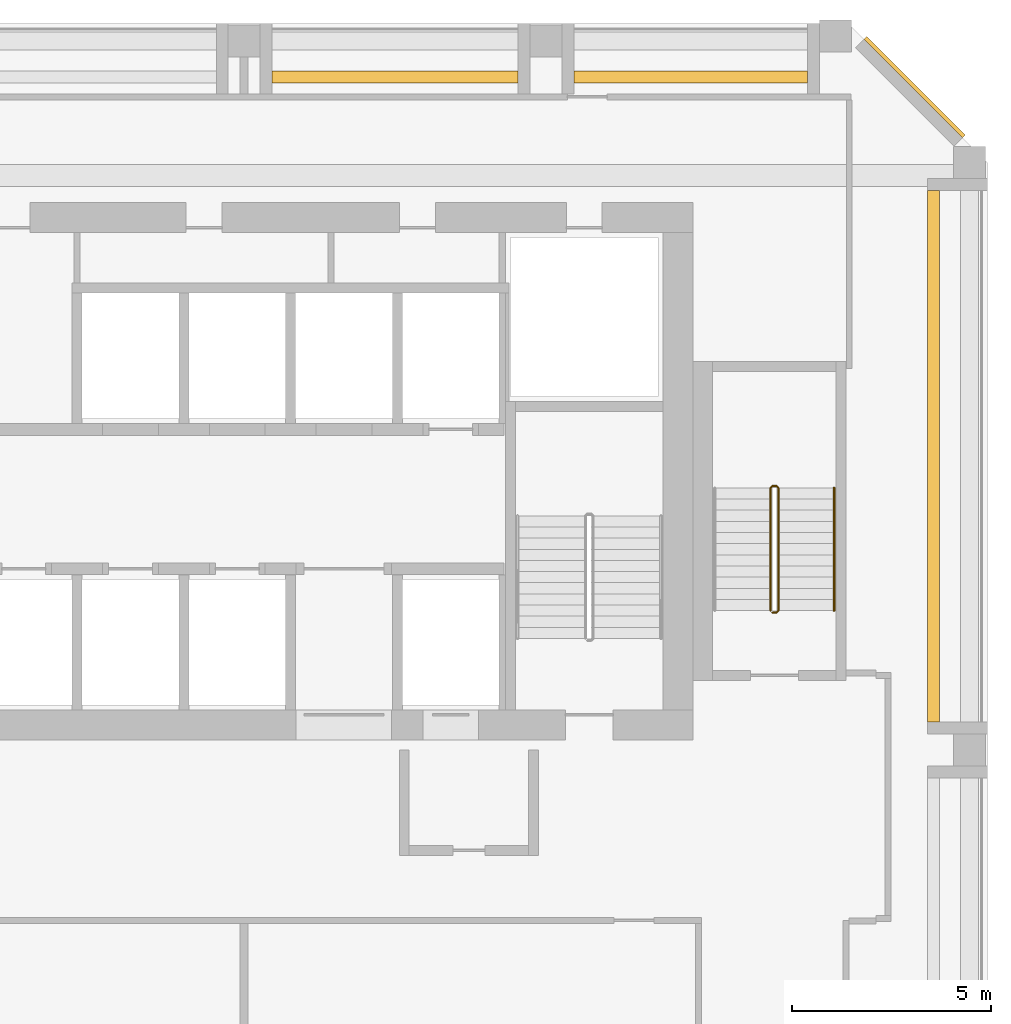
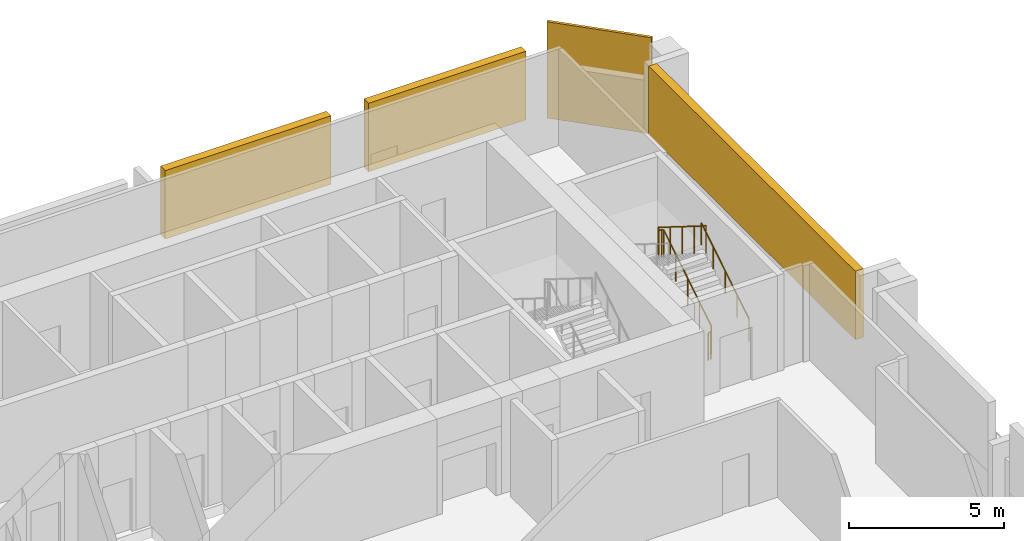
# One storey, part 9 of 9: 4 shading devices, 2 railings.
"""IFC4 building model written with IfcOpenShell, lengths in metres."""

from ifc_helpers import new_model, si_unit, direction, frame, origin, origin_2d, place, context, subcontext, project, spatial, rectangle, circle, extrude, source, transform, mapped, material, layer, layer_set, type_object, element, save


model = new_model("IFC4")

# Units and contexts
model_context = context("Model", 3, precision=1e-05, world=origin(), true_north=direction((0.0, 1.0)))
body_context = subcontext(model_context, "Body", "Model", "MODEL_VIEW")
ifc_project = project(units=[si_unit("LENGTHUNIT", "METRE"), si_unit("AREAUNIT", "SQUARE_METRE"), si_unit("VOLUMEUNIT", "CUBIC_METRE"), si_unit("PLANEANGLEUNIT", "RADIAN"), si_unit("MASSUNIT", "GRAM", prefix="KILO")], contexts=[model_context])

# Site, building, storey
site_placement = place(None, origin())
site = spatial("IfcSite", under=ifc_project, at=site_placement, CompositionType="ELEMENT")
building_placement = place(site_placement, origin())
building = spatial("IfcBuilding", under=site, at=building_placement, Name="Kilnfold Tower and Market Hall", CompositionType="ELEMENT")
storey_placement = place(building_placement, frame((0.0, 0.0, 195.699951171875)))
storey = spatial("IfcBuildingStorey", under=building, at=storey_placement, Name="L47 Plant Transfer Level", CompositionType="ELEMENT", Elevation=195.699951171875)

# Railings
ifc_material_1 = material(Name="Stainless steel 316", Category="steel")
railing_type_1 = type_object("IfcRailingType", Name="CORE STAIR GUARD 1100", PredefinedType="GUARDRAIL", material=ifc_material_1)
railing_1_placement = place(storey_placement, frame((19.85009765625, 11.449951171875, 0.0)))
element("IfcRailing", 1, at=railing_1_placement, inside=storey, type_object=railing_type_1, Name="L47 Plant Transfer Level ST5 stair guard 1", PredefinedType="GUARDRAIL", context=body_context, shape_type="SweptSolid", body=[
    extrude(circle(Radius=0.02392578125, at=origin_2d()), frame((0.0, 0.0, 1.076171875), z_axis=(1.0, 0.0, 0.0), x_axis=(0.0, 1.0, 0.0)), (0.0, 0.0, 1.0), 0.099853515625),
    extrude(circle(Radius=0.02392578125, at=origin_2d()), frame((0.099853515625, 0.0, 1.076171875), z_axis=(0.265065253269, 0.265065253269, 0.927081885822), x_axis=(-0.707106781187, 0.707106781187, 0.0)), (0.0, 0.0, 1.0), 0.188720703125),
    extrude(circle(Radius=0.02392578125, at=origin_2d()), frame((0.14990234375, 0.050048828125, 1.2509765625), z_axis=(0.0, 0.847998304005, 0.529998940003), x_axis=(-1.0, 0.0, 0.0)), (0.0, 0.0, 1.0), 3.632080078125),
    extrude(circle(Radius=0.02392578125, at=origin_2d()), frame((0.14990234375, 3.130126953125, 3.17626953125), z_axis=(-0.708833529934, 0.705375805398, 0.0), x_axis=(-0.705375805398, -0.708833529934, 0.0)), (0.0, 0.0, 1.0), 0.070556640625),
    extrude(circle(Radius=0.02392578125, at=origin_2d()), frame((0.099853515625, 3.179931640625, 3.17626953125), z_axis=(-1.0, 0.0, 0.0), x_axis=(0.0, -1.0, 0.0)), (0.0, 0.0, 1.0), 0.099853515625),
    extrude(circle(Radius=0.02392578125, at=origin_2d()), frame((0.0, 3.179931640625, 3.17626953125), z_axis=(-0.265155923931, -0.263862480399, 0.927399011991), x_axis=(0.705375805398, -0.708833529934, 0.0)), (0.0, 0.0, 1.0), 0.188720703125),
    extrude(circle(Radius=0.02392578125, at=origin_2d()), frame((-0.050048828125, 3.130126953125, 3.35107421875), z_axis=(0.0, -0.848028513186, 0.529950602248), x_axis=(1.0, 0.0, 0.0)), (0.0, 0.0, 1.0), 3.632080078125),
    extrude(circle(Radius=0.02099609375, at=origin_2d()), origin(), (0.0, 0.0, 1.0), 1.052001953125),
    extrude(circle(Radius=0.02099609375, at=origin_2d()), frame((0.099853515625, 0.0, 0.0)), (0.0, 0.0, 1.0), 1.052001953125),
    extrude(circle(Radius=0.02099609375, at=origin_2d()), frame((0.14990234375, 0.050048828125, 0.175048828125)), (0.0, 0.0, 1.0), 1.052001953125),
    extrude(circle(Radius=0.02099609375, at=origin_2d()), frame((0.14990234375, 0.820068359375, 0.65625)), (0.0, 0.0, 1.0), 1.052001953125),
    extrude(circle(Radius=0.02099609375, at=origin_2d()), frame((0.14990234375, 1.590087890625, 1.1376953125)), (0.0, 0.0, 1.0), 1.052001953125),
    extrude(circle(Radius=0.02099609375, at=origin_2d()), frame((0.14990234375, 2.360107421875, 1.618896484375)), (0.0, 0.0, 1.0), 1.052001953125),
    extrude(circle(Radius=0.02099609375, at=origin_2d()), frame((0.14990234375, 3.130126953125, 2.10009765625)), (0.0, 0.0, 1.0), 1.052001953125),
    extrude(circle(Radius=0.02099609375, at=origin_2d()), frame((0.099853515625, 3.179931640625, 2.10009765625)), (0.0, 0.0, 1.0), 1.052001953125),
    extrude(circle(Radius=0.02099609375, at=origin_2d()), frame((0.0, 3.179931640625, 2.10009765625)), (0.0, 0.0, 1.0), 1.052001953125),
    extrude(circle(Radius=0.02099609375, at=origin_2d()), frame((-0.050048828125, 3.130126953125, 2.275146484375)), (0.0, 0.0, 1.0), 1.052001953125),
    extrude(circle(Radius=0.02099609375, at=origin_2d()), frame((-0.050048828125, 2.360107421875, 2.75634765625)), (0.0, 0.0, 1.0), 1.052001953125),
    extrude(circle(Radius=0.02099609375, at=origin_2d()), frame((-0.050048828125, 1.590087890625, 3.237548828125)), (0.0, 0.0, 1.0), 1.052001953125),
    extrude(circle(Radius=0.02099609375, at=origin_2d()), frame((-0.050048828125, 0.820068359375, 3.71875)), (0.0, 0.0, 1.0), 1.052001953125),
    extrude(circle(Radius=0.02099609375, at=origin_2d()), frame((-0.050048828125, 0.050048828125, 4.199951171875)), (0.0, 0.0, 1.0), 1.052001953125),
])
ifc_material_2 = material(Name="Stainless steel 316", Category="steel")
railing_type_2 = type_object("IfcRailingType", Name="CORE STAIR HANDRAIL 900", PredefinedType="HANDRAIL", material=ifc_material_2)
railing_2_placement = place(storey_placement, frame((21.39990234375, 11.5, 0.175048828125)))
element("IfcRailing", 2, at=railing_2_placement, inside=storey, type_object=railing_type_2, Name="L47 Plant Transfer Level ST5 stair handrail 1", PredefinedType="HANDRAIL", context=body_context, shape_type="SweptSolid", body=[
    extrude(circle(Radius=0.02392578125, at=origin_2d()), frame((0.0, 0.0, 0.8759765625), z_axis=(0.0, 0.847998304005, 0.529998940003), x_axis=(-1.0, 0.0, 0.0)), (0.0, 0.0, 1.0), 3.632080078125),
    extrude(circle(Radius=0.02099609375, at=origin_2d()), origin(), (0.0, 0.0, 1.0), 0.851806640625),
    extrude(circle(Radius=0.02099609375, at=origin_2d()), frame((0.0, 0.77001953125, 0.481201171875)), (0.0, 0.0, 1.0), 0.851806640625),
    extrude(circle(Radius=0.02099609375, at=origin_2d()), frame((0.0, 1.5400390625, 0.96240234375)), (0.0, 0.0, 1.0), 0.851806640625),
    extrude(circle(Radius=0.02099609375, at=origin_2d()), frame((0.0, 2.31005859375, 1.44384765625)), (0.0, 0.0, 1.0), 0.851806640625),
    extrude(circle(Radius=0.02099609375, at=origin_2d()), frame((0.0, 3.080078125, 1.925048828125)), (0.0, 0.0, 1.0), 0.851806640625),
])

# Shading devices
ifc_material_3 = material(Name="Anodised aluminium", Category="aluminium")
shading_device_type_1 = type_object("IfcShadingDeviceType", Name="LOUVRE", PredefinedType="JALOUSIE", material=ifc_material_3)
shared_shape_1 = source(origin(), body_context, "Body", "SweptSolid", [
    extrude(rectangle(XDim=6.183349609375, YDim=0.300048828125, at=origin_2d()), origin(), (0.0, 0.0, 1.0), 2.699951171875),
])
shading_device_1_placement = place(storey_placement, frame((10.375, 24.89990234375, 1.10009765625), z_axis=(0.0, 0.0, 1.0), x_axis=(-1.0, 0.0, 0.0)))
element("IfcShadingDevice", 3, at=shading_device_1_placement, inside=storey, type_object=shading_device_type_1, Name="Plant louvre L47 N", ObjectType="LOUVRE", PredefinedType="JALOUSIE", context=body_context, shape_type="MappedRepresentation", body=[
    mapped(shared_shape_1, transform((0.0, 0.0, 0.0))),
])
ifc_material_4 = material(Name="Terracotta", Category="masonry")
ifc_layer = layer(ifc_material_4, 0.10009765625)
ifc_layer_set = layer_set([ifc_layer], Name="Terracotta")
shading_device_type_2 = type_object("IfcShadingDeviceType", Name="TERRACOTTA SCREEN 100", PredefinedType="USERDEFINED", material=ifc_layer_set)
shared_shape_2 = source(origin(), body_context, "Body", "SweptSolid", [
    extrude(rectangle(XDim=3.500244140625, YDim=0.10009765625, at=origin_2d()), origin(), (0.0, 0.0, 1.0), 3.800048828125),
])
shading_device_2_placement = place(storey_placement, frame((23.4228515625, 24.64794921875, 0.0), z_axis=(0.0, 0.0, 1.0), x_axis=(-0.707106781187, 0.707106781187, 0.0)))
element("IfcShadingDevice", 4, at=shading_device_2_placement, inside=storey, type_object=shading_device_type_2, Name="Plant screen L47 NE", ObjectType="SCREEN", PredefinedType="USERDEFINED", context=body_context, shape_type="MappedRepresentation", body=[
    mapped(shared_shape_2, transform((0.0, 0.0, 0.0))),
])
shared_shape_3 = source(origin(), body_context, "Body", "SweptSolid", [
    extrude(rectangle(XDim=5.864990234375, YDim=0.300048828125, at=origin_2d()), origin(), (0.0, 0.0, 1.0), 2.699951171875),
])
shading_device_3_placement = place(storey_placement, frame((17.79931640625, 24.89990234375, 1.10009765625), z_axis=(0.0, 0.0, 1.0), x_axis=(-1.0, 0.0, 0.0)))
element("IfcShadingDevice", 5, at=shading_device_3_placement, inside=storey, type_object=shading_device_type_1, Name="Plant louvre L47 N", ObjectType="LOUVRE", PredefinedType="JALOUSIE", context=body_context, shape_type="MappedRepresentation", body=[
    mapped(shared_shape_3, transform((0.0, 0.0, 0.0))),
])
shared_shape_4 = source(origin(), body_context, "Body", "SweptSolid", [
    extrude(rectangle(XDim=13.35009765625, YDim=0.300048828125, at=origin_2d()), origin(), (0.0, 0.0, 1.0), 2.699951171875),
])
shading_device_4_placement = place(storey_placement, frame((23.89990234375, 15.375, 1.10009765625), z_axis=(0.0, 0.0, 1.0), x_axis=(0.0, 1.0, 0.0)))
element("IfcShadingDevice", 6, at=shading_device_4_placement, inside=storey, type_object=shading_device_type_1, Name="Plant louvre L47 E", ObjectType="LOUVRE", PredefinedType="JALOUSIE", context=body_context, shape_type="MappedRepresentation", body=[
    mapped(shared_shape_4, transform((0.0, 0.0, 0.0))),
])

save(model, "model.ifc")
